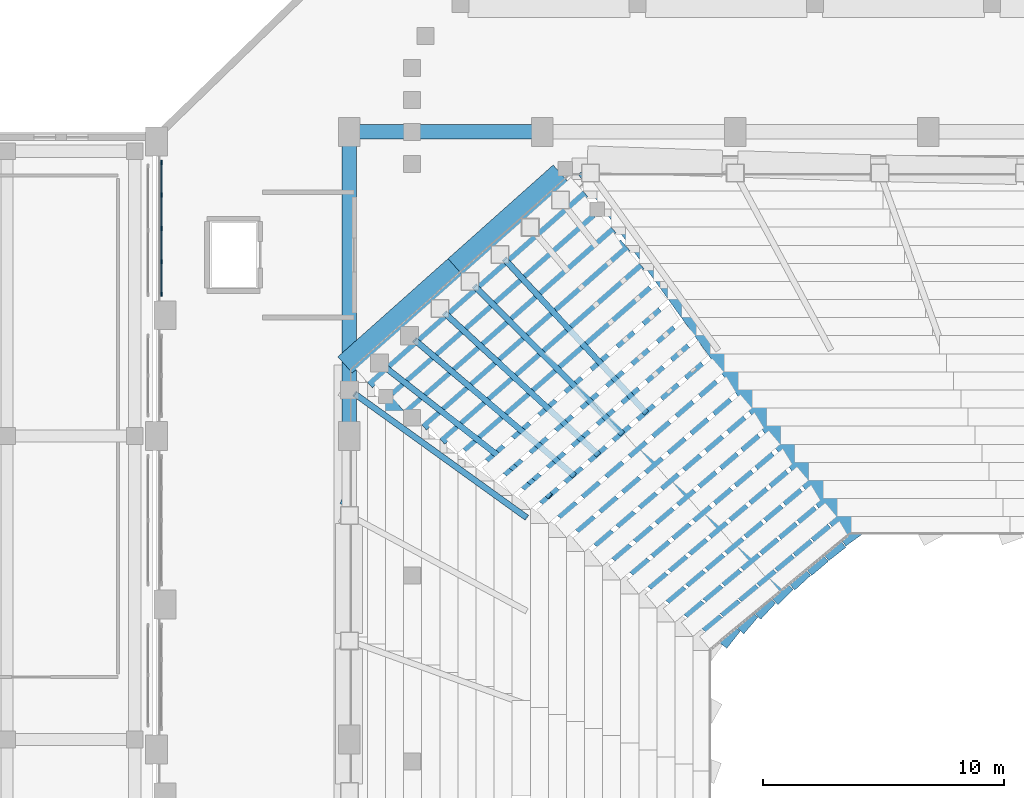
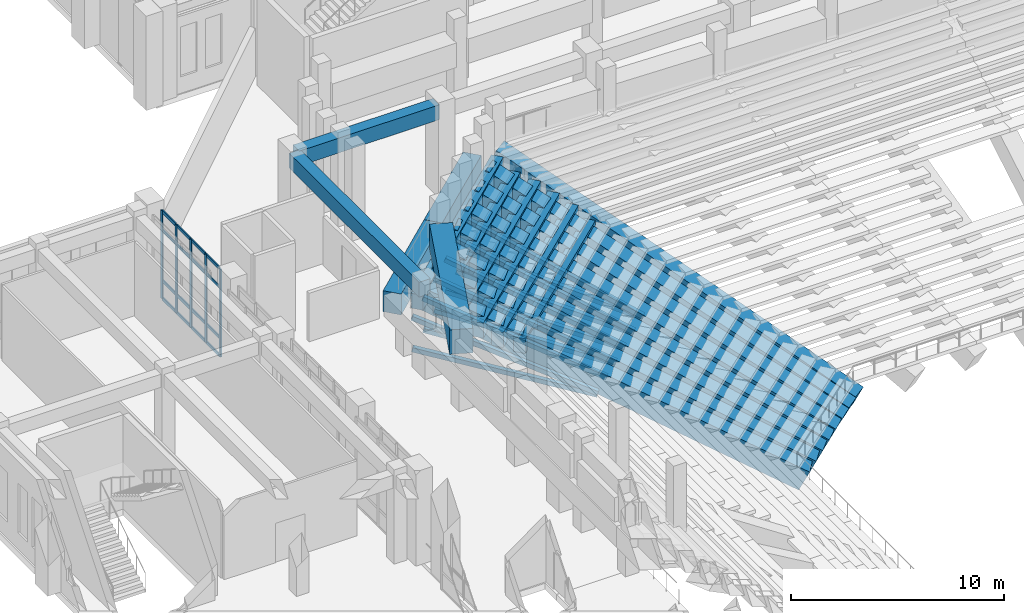
# One storey, part 48 of 159: 33 members, 19 beams, 1 element without a shape of its own.
"""IFC4 building model written with IfcOpenShell, lengths in metres."""

from ifc_helpers import new_model, si_unit, derived_unit, direction, frame, origin, origin_2d, place, context, subcontext, project, spatial, rectangle, hollow_rectangle, extrude, material, layer, layer_set, material_profile, profile_set, type_object, element, aggregate, save


model = new_model("IFC4")

# Units and contexts
model_context = context("Model", 3, precision=1e-05, world=origin(), true_north=direction((0.0, 1.0)))
body_context = subcontext(model_context, "Body", "Model", "MODEL_VIEW")
ifc_project = project(units=[si_unit("LENGTHUNIT", "METRE"), si_unit("AREAUNIT", "SQUARE_METRE"), si_unit("VOLUMEUNIT", "CUBIC_METRE"), si_unit("PLANEANGLEUNIT", "RADIAN"), si_unit("MASSUNIT", "GRAM", prefix="KILO"), derived_unit("THERMALTRANSMITTANCEUNIT", [(si_unit("MASSUNIT", "GRAM", prefix="KILO"), 1), (si_unit("TIMEUNIT", "SECOND"), -3), (si_unit("THERMODYNAMICTEMPERATUREUNIT", "KELVIN"), -1)])], contexts=[model_context])

# Site, building, storey
site_placement = place(None, origin())
site = spatial("IfcSite", under=ifc_project, at=site_placement, CompositionType="ELEMENT")
building_placement = place(site_placement, origin())
building = spatial("IfcBuilding", under=site, at=building_placement, Name="Valcora Ridge Arena", CompositionType="ELEMENT")
storey_placement = place(building_placement, frame((0.0, 0.0, 6.0)))
storey = spatial("IfcBuildingStorey", under=building, at=storey_placement, Name="L01", CompositionType="ELEMENT", Elevation=6.0)

# Beams
ifc_material_1 = material(Name="Concrete C40/50", Category="concrete")
ifc_material_profile_1 = material_profile(ifc_material_1, rectangle(XDim=0.60009765625, YDim=0.85009765625, at=origin_2d()), Name="RC 600x850")
ifc_profile_set_1 = profile_set([ifc_material_profile_1], Name="Concrete C40/50")
beam_type_1 = type_object("IfcBeamType", Name="TY-BEAM-B-RC600-X", PredefinedType="BEAM", material=ifc_profile_set_1)
beam_1_placement = place(storey_placement, frame((36.3994140625, 89.21533203125, 0.135009765625), z_axis=(-0.751952198768, -0.659217635359, 0.0), x_axis=(0.659217635359, -0.751952198768, 0.0)))
element("IfcBeam", 1, at=beam_1_placement, inside=storey, type_object=beam_type_1, Name="B-RC600-X BEM-R2-B-RC600-X-0165", PredefinedType="BEAM", context=body_context, shape_type="SweptSolid", body=[
    extrude(rectangle(XDim=0.60009765625, YDim=0.85009765625, at=origin_2d()), origin(), (0.0, 0.0, 1.0), 10.225341796875),
])
beam_2_placement = place(storey_placement, frame((36.02490234375, 90.14990234375, 0.574951171875), z_axis=(-0.751029040329, -0.660269172825, 0.0), x_axis=(0.660269172825, -0.751029040329, 0.0)))
element("IfcBeam", 2, at=beam_2_placement, inside=storey, type_object=beam_type_1, Name="B-RC600-X BEM-R2-B-RC600-X-0177", PredefinedType="BEAM", context=body_context, shape_type="SweptSolid", body=[
    extrude(rectangle(XDim=0.60009765625, YDim=0.85009765625, at=origin_2d()), origin(), (0.0, 0.0, 1.0), 11.01806640625),
])
beam_3_placement = place(storey_placement, frame((35.43994140625, 90.89990234375, 1.014892578125), z_axis=(-0.750149332152, -0.661268462481, 0.0), x_axis=(0.661268462481, -0.750149332152, 0.0)))
element("IfcBeam", 3, at=beam_3_placement, inside=storey, type_object=beam_type_1, Name="B-RC600-X BEM-R2-B-RC600-X-0189", PredefinedType="BEAM", context=body_context, shape_type="SweptSolid", body=[
    extrude(rectangle(XDim=0.60009765625, YDim=0.85009765625, at=origin_2d()), origin(), (0.0, 0.0, 1.0), 11.2509765625),
])
beam_4_placement = place(storey_placement, frame((34.85498046875, 91.64990234375, 1.455078125), z_axis=(-0.749304061894, -0.662226111558, 0.0), x_axis=(0.662226111558, -0.749304061894, 0.0)))
element("IfcBeam", 4, at=beam_4_placement, inside=storey, type_object=beam_type_1, Name="B-RC600-X BEM-R2-B-RC600-X-0201", PredefinedType="BEAM", context=body_context, shape_type="SweptSolid", body=[
    extrude(rectangle(XDim=0.60009765625, YDim=0.85009765625, at=origin_2d()), origin(), (0.0, 0.0, 1.0), 11.48388671875),
])
beam_5_placement = place(storey_placement, frame((34.060302734375, 92.21435546875, 1.89501953125), z_axis=(-0.748479246589, -0.663158214475, 0.0), x_axis=(0.663158214475, -0.748479246589, 0.0)))
element("IfcBeam", 5, at=beam_5_placement, inside=storey, type_object=beam_type_1, Name="B-RC600-X BEM-R2-B-RC600-X-0213", PredefinedType="BEAM", context=body_context, shape_type="SweptSolid", body=[
    extrude(rectangle(XDim=0.60009765625, YDim=0.85009765625, at=origin_2d()), origin(), (0.0, 0.0, 1.0), 11.15673828125),
])
beam_6_placement = place(storey_placement, frame((33.68505859375, 93.14990234375, 2.3349609375), z_axis=(-0.747719218895, -0.664015037251, 0.0), x_axis=(0.664015037251, -0.747719218895, 0.0)))
element("IfcBeam", 6, at=beam_6_placement, inside=storey, type_object=beam_type_1, Name="B-RC600-X BEM-R2-B-RC600-X-0225", PredefinedType="BEAM", context=body_context, shape_type="SweptSolid", body=[
    extrude(rectangle(XDim=0.60009765625, YDim=0.85009765625, at=origin_2d()), origin(), (0.0, 0.0, 1.0), 11.94970703125),
])
ifc_material_profile_2 = material_profile(ifc_material_1, rectangle(XDim=0.60009765625, YDim=0.85009765625, at=origin_2d()), Name="RC 600x850")
ifc_profile_set_2 = profile_set([ifc_material_profile_2], Name="Concrete C40/50")
beam_type_2 = type_object("IfcBeamType", Name="TY-BEAM-B-RC600-Y", PredefinedType="BEAM", material=ifc_profile_set_2)
beam_7_placement = place(storey_placement, frame((24.0, 83.199951171875, 4.614990234375), z_axis=(0.0, 1.0, 0.0), x_axis=(-1.0, 0.0, 0.0)))
element("IfcBeam", 7, at=beam_7_placement, inside=storey, type_object=beam_type_2, Name="B-RC600-Y BEM-B-RC600-Y-0015", PredefinedType="BEAM", context=body_context, shape_type="SweptSolid", body=[
    extrude(rectangle(XDim=0.60009765625, YDim=0.85009765625, at=origin_2d()), origin(), (0.0, 0.0, 1.0), 12.199951171875),
])
ifc_material_profile_3 = material_profile(ifc_material_1, rectangle(XDim=0.60009765625, YDim=0.85009765625, at=origin_2d()), Name="RC 600x850")
ifc_profile_set_3 = profile_set([ifc_material_profile_3], Name="Concrete C40/50")
beam_type_3 = type_object("IfcBeamType", Name="TY-BEAM-EB-RC600", PredefinedType="BEAM", material=ifc_profile_set_3)
beam_8_placement = place(storey_placement, frame((24.199951171875, 95.60009765625, 4.614990234375), z_axis=(1.0, 0.0, 0.0), x_axis=(0.0, 1.0, 0.0)))
element("IfcBeam", 8, at=beam_8_placement, inside=storey, type_object=beam_type_3, Name="EB-RC600 BEM-EB-RC600-0024", PredefinedType="BEAM", context=body_context, shape_type="SweptSolid", body=[
    extrude(rectangle(XDim=0.60009765625, YDim=0.85009765625, at=origin_2d()), origin(), (0.0, 0.0, 1.0), 7.60009765625),
])
ifc_material_profile_4 = material_profile(ifc_material_1, rectangle(XDim=0.89990234375, YDim=1.199951171875, at=origin_2d()), Name="RC 900x1200")
ifc_profile_set_4 = profile_set([ifc_material_profile_4], Name="Concrete C40/50")
beam_type_4 = type_object("IfcBeamType", Name="TY-BEAM-RKR-LOW-1200", PredefinedType="USERDEFINED", material=ifc_profile_set_4)
beam_9_placement = place(storey_placement, frame((44.800048828125, 78.89990234375, -6.489990234375), z_axis=(-0.527565344936, 0.732726332999, 0.429868500536), x_axis=(-0.811533088795, -0.584306465642, 0.0)))
element("IfcBeam", 9, at=beam_9_placement, inside=storey, type_object=beam_type_4, Name="RKR-LOW-1200 BEM-RK-RKR-LOW-1200-0039", ObjectType="RAKER", PredefinedType="USERDEFINED", context=body_context, shape_type="SweptSolid", body=[
    extrude(rectangle(XDim=0.89990234375, YDim=1.199951171875, at=origin_2d()), origin(), (0.0, 0.0, 1.0), 20.471435546875),
])
beam_10_placement = place(storey_placement, frame((44.074951171875, 78.300048828125, -6.489990234375), z_axis=(-0.555774861545, 0.710357120878, 0.431864636307), x_axis=(-0.787589368997, -0.61620044291, 0.0)))
element("IfcBeam", 10, at=beam_10_placement, inside=storey, type_object=beam_type_4, Name="RKR-LOW-1200 BEM-RK-RKR-LOW-1200-0040", ObjectType="RAKER", PredefinedType="USERDEFINED", context=body_context, shape_type="SweptSolid", body=[
    extrude(rectangle(XDim=0.89990234375, YDim=1.199951171875, at=origin_2d()), origin(), (0.0, 0.0, 1.0), 20.376953125),
])
beam_11_placement = place(storey_placement, frame((43.35009765625, 77.699951171875, -6.489990234375), z_axis=(-0.583481948544, 0.686875748029, 0.433301883787), x_axis=(-0.762137730499, -0.647414920859, 0.0)))
element("IfcBeam", 11, at=beam_11_placement, inside=storey, type_object=beam_type_4, Name="RKR-LOW-1200 BEM-RK-RKR-LOW-1200-0041", ObjectType="RAKER", PredefinedType="USERDEFINED", context=body_context, shape_type="SweptSolid", body=[
    extrude(rectangle(XDim=0.89990234375, YDim=1.199951171875, at=origin_2d()), origin(), (0.0, 0.0, 1.0), 20.309326171875),
])
beam_12_placement = place(storey_placement, frame((42.625, 77.10009765625, -6.489990234375), z_axis=(-0.610557205887, 0.6623524234, 0.434176422155), x_axis=(-0.735270801854, -0.677773448832, 0.0)))
element("IfcBeam", 12, at=beam_12_placement, inside=storey, type_object=beam_type_4, Name="RKR-LOW-1200 BEM-RK-RKR-LOW-1200-0042", ObjectType="RAKER", PredefinedType="USERDEFINED", context=body_context, shape_type="SweptSolid", body=[
    extrude(rectangle(XDim=0.89990234375, YDim=1.199951171875, at=origin_2d()), origin(), (0.0, 0.0, 1.0), 20.268310546875),
])
beam_13_placement = place(storey_placement, frame((41.89990234375, 76.5, -6.489990234375), z_axis=(-0.636882105982, 0.636882105982, 0.434467911543), x_axis=(-0.707106781187, -0.707106781187, 0.0)))
element("IfcBeam", 13, at=beam_13_placement, inside=storey, type_object=beam_type_4, Name="RKR-LOW-1200 BEM-RK-RKR-LOW-1200-0043", ObjectType="RAKER", PredefinedType="USERDEFINED", context=body_context, shape_type="SweptSolid", body=[
    extrude(rectangle(XDim=0.89990234375, YDim=1.199951171875, at=origin_2d()), origin(), (0.0, 0.0, 1.0), 20.2548828125),
])
beam_14_placement = place(storey_placement, frame((41.175048828125, 75.89990234375, -6.489990234375), z_axis=(-0.662359184273, 0.610552334693, 0.434172958175), x_axis=(-0.677766785233, -0.73527694431, 0.0)))
element("IfcBeam", 14, at=beam_14_placement, inside=storey, type_object=beam_type_4, Name="RKR-LOW-1200 BEM-RK-RKR-LOW-1200-0044", ObjectType="RAKER", PredefinedType="USERDEFINED", context=body_context, shape_type="SweptSolid", body=[
    extrude(rectangle(XDim=0.89990234375, YDim=1.199951171875, at=origin_2d()), origin(), (0.0, 0.0, 1.0), 20.2685546875),
])
beam_15_placement = place(storey_placement, frame((40.449951171875, 75.300048828125, -6.489990234375), z_axis=(-0.686880565857, 0.583474019933, 0.433304923018), x_axis=(-0.647407173148, -0.762144311896, 0.0)))
element("IfcBeam", 15, at=beam_15_placement, inside=storey, type_object=beam_type_4, Name="RKR-LOW-1200 BEM-RK-RKR-LOW-1200-0045", ObjectType="RAKER", PredefinedType="USERDEFINED", context=body_context, shape_type="SweptSolid", body=[
    extrude(rectangle(XDim=0.89990234375, YDim=1.199951171875, at=origin_2d()), origin(), (0.0, 0.0, 1.0), 20.30908203125),
])
beam_16_placement = place(storey_placement, frame((39.72509765625, 74.699951171875, -6.489990234375), z_axis=(-0.710363056233, 0.555770131379, 0.431860960734), x_axis=(-0.616193996107, -0.787594412856, 0.0)))
element("IfcBeam", 16, at=beam_16_placement, inside=storey, type_object=beam_type_4, Name="RKR-LOW-1200 BEM-RK-RKR-LOW-1200-0046", ObjectType="RAKER", PredefinedType="USERDEFINED", context=body_context, shape_type="SweptSolid", body=[
    extrude(rectangle(XDim=0.89990234375, YDim=1.199951171875, at=origin_2d()), origin(), (0.0, 0.0, 1.0), 20.376953125),
])
ifc_material_2 = material(Name="Concrete C45/55", Category="concrete")
ifc_material_profile_5 = material_profile(ifc_material_2, rectangle(XDim=0.89990234375, YDim=1.199951171875, at=origin_2d()), Name="RC 900x1200")
ifc_profile_set_5 = profile_set([ifc_material_profile_5], Name="Concrete C45/55")
beam_type_5 = type_object("IfcBeamType", Name="TY-BEAM-RKR-RING-850", PredefinedType="USERDEFINED", material=ifc_profile_set_5)
beam_17_placement = place(storey_placement, frame((32.75048828125, 93.893798828125, 2.159912109375), z_axis=(-0.746774614076, -0.665077195348, 0.0), x_axis=(0.665077195348, -0.746774614076, 0.0)))
element("IfcBeam", 17, at=beam_17_placement, inside=storey, type_object=beam_type_5, Name="RKR-RING-850 BEM-R2-RKR-RING-850-0011", ObjectType="RAKER", PredefinedType="USERDEFINED", context=body_context, shape_type="SweptSolid", body=[
    extrude(rectangle(XDim=0.89990234375, YDim=1.199951171875, at=origin_2d()), origin(), (0.0, 0.0, 1.0), 5.83935546875),
])
beam_18_placement = place(storey_placement, frame((28.389892578125, 90.01025390625, 2.159912109375), z_axis=(-0.746779446609, -0.665071769151, 0.0), x_axis=(0.665071769151, -0.746779446609, 0.0)))
element("IfcBeam", 18, at=beam_18_placement, inside=storey, type_object=beam_type_5, Name="RKR-RING-850 BEM-R2-RKR-RING-850-0012", ObjectType="RAKER", PredefinedType="USERDEFINED", context=body_context, shape_type="SweptSolid", body=[
    extrude(rectangle(XDim=0.89990234375, YDim=1.199951171875, at=origin_2d()), origin(), (0.0, 0.0, 1.0), 6.119384765625),
])
ifc_material_profile_6 = material_profile(ifc_material_2, rectangle(XDim=1.10009765625, YDim=1.39990234375, at=origin_2d()), Name="RC 1100x1400")
ifc_profile_set_6 = profile_set([ifc_material_profile_6], Name="Concrete C45/55")
beam_type_6 = type_object("IfcBeamType", Name="TY-BEAM-RKR-URING-1100", PredefinedType="USERDEFINED", material=ifc_profile_set_6)
beam_19_placement = place(storey_placement, frame((27.62841796875, 87.943115234375, 3.47509765625), z_axis=(-0.403356102134, -0.915043089079, 0.0), x_axis=(0.915043089079, -0.403356102134, 0.0)))
element("IfcBeam", 19, at=beam_19_placement, inside=storey, type_object=beam_type_6, Name="RKR-URING-1100 BEM-RU2-RKR-URING-1100-0030", ObjectType="RAKER", PredefinedType="USERDEFINED", context=body_context, shape_type="SweptSolid", body=[
    extrude(rectangle(XDim=1.10009765625, YDim=1.39990234375, at=origin_2d()), origin(), (0.0, 0.0, 1.0), 8.717041015625),
])

# Curtain wall, members
ifc_material_3 = material(Name="Anodised dark bronze architectural aluminium 6063-T6", Category="aluminium")
ifc_layer = layer(ifc_material_3, 0.179931640625, Name="Anodised dark bronze architectural aluminium 6063-T6")
ifc_layer_set = layer_set([ifc_layer], Name="Anodised dark bronze architectural aluminium 6063-T6")
curtain_wall_type = type_object("IfcCurtainWallType", Name="TY-CURTAINWALL-CW-V1-GOTH-055X50", PredefinedType="NOTDEFINED", material=ifc_layer_set)
curtain_wall_placement = place(storey_placement, origin())
curtain_wall = element("IfcCurtainWall", 20, at=curtain_wall_placement, inside=storey, type_object=curtain_wall_type, Name="CW-V1-GOTH-055X50 CW-0097", PredefinedType="NOTDEFINED")
ifc_material_profile_7 = material_profile(ifc_material_3, rectangle(XDim=0.06005859375, YDim=0.179931640625, at=origin_2d()), Name="ALU MULLION 60x180")
ifc_profile_set_7 = profile_set([ifc_material_profile_7], Name="Anodised dark bronze architectural aluminium 6063-T6")
member_type_1 = type_object("IfcMemberType", Name="TY-MEM-CWM-60x180", PredefinedType="MULLION", material=ifc_profile_set_7)
member_1_placement = place(storey_placement, frame((16.199951171875, 88.8701171875, 0.0), z_axis=(0.0, 0.0, 1.0), x_axis=(-1.0, 0.0, 0.0)))
member_1 = element("IfcMember", 21, at=member_1_placement, type_object=member_type_1, Name="CW-0097/CWM-60x180/M00", PredefinedType="MULLION", context=body_context, shape_type="SweptSolid", body=[
    extrude(rectangle(XDim=0.06005859375, YDim=0.179931640625, at=origin_2d()), origin(), (0.0, 0.0, 1.0), 5.0400390625),
])
member_2_placement = place(storey_placement, frame((16.199951171875, 90.219970703125, 0.0), z_axis=(0.0, 0.0, 1.0), x_axis=(-1.0, 0.0, 0.0)))
member_2 = element("IfcMember", 22, at=member_2_placement, type_object=member_type_1, Name="CW-0097/CWM-60x180/M01", PredefinedType="MULLION", context=body_context, shape_type="SweptSolid", body=[
    extrude(rectangle(XDim=0.06005859375, YDim=0.179931640625, at=origin_2d()), origin(), (0.0, 0.0, 1.0), 5.0400390625),
])
member_3_placement = place(storey_placement, frame((16.199951171875, 91.60009765625, 0.0), z_axis=(0.0, 0.0, 1.0), x_axis=(-1.0, 0.0, 0.0)))
member_3 = element("IfcMember", 23, at=member_3_placement, type_object=member_type_1, Name="CW-0097/CWM-60x180/M02", PredefinedType="MULLION", context=body_context, shape_type="SweptSolid", body=[
    extrude(rectangle(XDim=0.06005859375, YDim=0.179931640625, at=origin_2d()), origin(), (0.0, 0.0, 1.0), 5.0400390625),
])
member_4_placement = place(storey_placement, frame((16.199951171875, 92.97998046875, 0.0), z_axis=(0.0, 0.0, 1.0), x_axis=(-1.0, 0.0, 0.0)))
member_4 = element("IfcMember", 24, at=member_4_placement, type_object=member_type_1, Name="CW-0097/CWM-60x180/M03", PredefinedType="MULLION", context=body_context, shape_type="SweptSolid", body=[
    extrude(rectangle(XDim=0.06005859375, YDim=0.179931640625, at=origin_2d()), origin(), (0.0, 0.0, 1.0), 5.0400390625),
])
member_5_placement = place(storey_placement, frame((16.199951171875, 94.330078125, 0.0), z_axis=(0.0, 0.0, 1.0), x_axis=(-1.0, 0.0, 0.0)))
member_5 = element("IfcMember", 25, at=member_5_placement, type_object=member_type_1, Name="CW-0097/CWM-60x180/M04", PredefinedType="MULLION", context=body_context, shape_type="SweptSolid", body=[
    extrude(rectangle(XDim=0.06005859375, YDim=0.179931640625, at=origin_2d()), origin(), (0.0, 0.0, 1.0), 5.0400390625),
])
ifc_material_profile_8 = material_profile(ifc_material_3, rectangle(XDim=0.06005859375, YDim=0.179931640625, at=origin_2d()), Name="ALU TRANSOM 60x180")
ifc_profile_set_8 = profile_set([ifc_material_profile_8], Name="Anodised dark bronze architectural aluminium 6063-T6")
member_type_2 = type_object("IfcMemberType", Name="TY-MEM-CWT-60x180", PredefinedType="USERDEFINED", material=ifc_profile_set_8)
member_6_placement = place(storey_placement, frame((16.199951171875, 88.89990234375, 0.030029296875), z_axis=(0.0, 1.0, 0.0), x_axis=(-1.0, 0.0, 0.0)))
member_6 = element("IfcMember", 26, at=member_6_placement, type_object=member_type_2, Name="CW-0097/CWT-60x180/T00-00", ObjectType="TRANSOM", PredefinedType="USERDEFINED", context=body_context, shape_type="SweptSolid", body=[
    extrude(rectangle(XDim=0.06005859375, YDim=0.179931640625, at=origin_2d()), origin(), (0.0, 0.0, 1.0), 1.2900390625),
])
member_7_placement = place(storey_placement, frame((16.199951171875, 88.89990234375, 1.050048828125), z_axis=(0.0, 1.0, 0.0), x_axis=(-1.0, 0.0, 0.0)))
member_7 = element("IfcMember", 27, at=member_7_placement, type_object=member_type_2, Name="CW-0097/CWT-60x180/T00-01", ObjectType="TRANSOM", PredefinedType="USERDEFINED", context=body_context, shape_type="SweptSolid", body=[
    extrude(rectangle(XDim=0.06005859375, YDim=0.179931640625, at=origin_2d()), origin(), (0.0, 0.0, 1.0), 1.2900390625),
])
member_8_placement = place(storey_placement, frame((16.199951171875, 88.89990234375, 3.93994140625), z_axis=(0.0, 1.0, 0.0), x_axis=(-1.0, 0.0, 0.0)))
member_8 = element("IfcMember", 28, at=member_8_placement, type_object=member_type_2, Name="CW-0097/CWT-60x180/T00-02", ObjectType="TRANSOM", PredefinedType="USERDEFINED", context=body_context, shape_type="SweptSolid", body=[
    extrude(rectangle(XDim=0.06005859375, YDim=0.179931640625, at=origin_2d()), origin(), (0.0, 0.0, 1.0), 1.2900390625),
])
member_9_placement = place(storey_placement, frame((16.199951171875, 88.89990234375, 5.010009765625), z_axis=(0.0, 1.0, 0.0), x_axis=(-1.0, 0.0, 0.0)))
member_9 = element("IfcMember", 29, at=member_9_placement, type_object=member_type_2, Name="CW-0097/CWT-60x180/T00-03", ObjectType="TRANSOM", PredefinedType="USERDEFINED", context=body_context, shape_type="SweptSolid", body=[
    extrude(rectangle(XDim=0.06005859375, YDim=0.179931640625, at=origin_2d()), origin(), (0.0, 0.0, 1.0), 1.2900390625),
])
member_10_placement = place(storey_placement, frame((16.199951171875, 90.25, 0.030029296875), z_axis=(0.0, 1.0, 0.0), x_axis=(-1.0, 0.0, 0.0)))
member_10 = element("IfcMember", 30, at=member_10_placement, type_object=member_type_2, Name="CW-0097/CWT-60x180/T01-00", ObjectType="TRANSOM", PredefinedType="USERDEFINED", context=body_context, shape_type="SweptSolid", body=[
    extrude(rectangle(XDim=0.06005859375, YDim=0.179931640625, at=origin_2d()), origin(), (0.0, 0.0, 1.0), 1.320068359375),
])
member_11_placement = place(storey_placement, frame((16.199951171875, 90.25, 1.050048828125), z_axis=(0.0, 1.0, 0.0), x_axis=(-1.0, 0.0, 0.0)))
member_11 = element("IfcMember", 31, at=member_11_placement, type_object=member_type_2, Name="CW-0097/CWT-60x180/T01-01", ObjectType="TRANSOM", PredefinedType="USERDEFINED", context=body_context, shape_type="SweptSolid", body=[
    extrude(rectangle(XDim=0.06005859375, YDim=0.179931640625, at=origin_2d()), origin(), (0.0, 0.0, 1.0), 1.320068359375),
])
member_12_placement = place(storey_placement, frame((16.199951171875, 90.25, 3.93994140625), z_axis=(0.0, 1.0, 0.0), x_axis=(-1.0, 0.0, 0.0)))
member_12 = element("IfcMember", 32, at=member_12_placement, type_object=member_type_2, Name="CW-0097/CWT-60x180/T01-02", ObjectType="TRANSOM", PredefinedType="USERDEFINED", context=body_context, shape_type="SweptSolid", body=[
    extrude(rectangle(XDim=0.06005859375, YDim=0.179931640625, at=origin_2d()), origin(), (0.0, 0.0, 1.0), 1.320068359375),
])
member_13_placement = place(storey_placement, frame((16.199951171875, 90.25, 5.010009765625), z_axis=(0.0, 1.0, 0.0), x_axis=(-1.0, 0.0, 0.0)))
member_13 = element("IfcMember", 33, at=member_13_placement, type_object=member_type_2, Name="CW-0097/CWT-60x180/T01-03", ObjectType="TRANSOM", PredefinedType="USERDEFINED", context=body_context, shape_type="SweptSolid", body=[
    extrude(rectangle(XDim=0.06005859375, YDim=0.179931640625, at=origin_2d()), origin(), (0.0, 0.0, 1.0), 1.320068359375),
])
member_14_placement = place(storey_placement, frame((16.199951171875, 91.6298828125, 0.030029296875), z_axis=(0.0, 1.0, 0.0), x_axis=(-1.0, 0.0, 0.0)))
member_14 = element("IfcMember", 34, at=member_14_placement, type_object=member_type_2, Name="CW-0097/CWT-60x180/T02-00", ObjectType="TRANSOM", PredefinedType="USERDEFINED", context=body_context, shape_type="SweptSolid", body=[
    extrude(rectangle(XDim=0.06005859375, YDim=0.179931640625, at=origin_2d()), origin(), (0.0, 0.0, 1.0), 1.320068359375),
])
member_15_placement = place(storey_placement, frame((16.199951171875, 91.6298828125, 1.050048828125), z_axis=(0.0, 1.0, 0.0), x_axis=(-1.0, 0.0, 0.0)))
member_15 = element("IfcMember", 35, at=member_15_placement, type_object=member_type_2, Name="CW-0097/CWT-60x180/T02-01", ObjectType="TRANSOM", PredefinedType="USERDEFINED", context=body_context, shape_type="SweptSolid", body=[
    extrude(rectangle(XDim=0.06005859375, YDim=0.179931640625, at=origin_2d()), origin(), (0.0, 0.0, 1.0), 1.320068359375),
])
member_16_placement = place(storey_placement, frame((16.199951171875, 91.6298828125, 3.93994140625), z_axis=(0.0, 1.0, 0.0), x_axis=(-1.0, 0.0, 0.0)))
member_16 = element("IfcMember", 36, at=member_16_placement, type_object=member_type_2, Name="CW-0097/CWT-60x180/T02-02", ObjectType="TRANSOM", PredefinedType="USERDEFINED", context=body_context, shape_type="SweptSolid", body=[
    extrude(rectangle(XDim=0.06005859375, YDim=0.179931640625, at=origin_2d()), origin(), (0.0, 0.0, 1.0), 1.320068359375),
])
member_17_placement = place(storey_placement, frame((16.199951171875, 91.6298828125, 5.010009765625), z_axis=(0.0, 1.0, 0.0), x_axis=(-1.0, 0.0, 0.0)))
member_17 = element("IfcMember", 37, at=member_17_placement, type_object=member_type_2, Name="CW-0097/CWT-60x180/T02-03", ObjectType="TRANSOM", PredefinedType="USERDEFINED", context=body_context, shape_type="SweptSolid", body=[
    extrude(rectangle(XDim=0.06005859375, YDim=0.179931640625, at=origin_2d()), origin(), (0.0, 0.0, 1.0), 1.320068359375),
])
member_18_placement = place(storey_placement, frame((16.199951171875, 93.010009765625, 0.030029296875), z_axis=(0.0, 1.0, 0.0), x_axis=(-1.0, 0.0, 0.0)))
member_18 = element("IfcMember", 38, at=member_18_placement, type_object=member_type_2, Name="CW-0097/CWT-60x180/T03-00", ObjectType="TRANSOM", PredefinedType="USERDEFINED", context=body_context, shape_type="SweptSolid", body=[
    extrude(rectangle(XDim=0.06005859375, YDim=0.179931640625, at=origin_2d()), origin(), (0.0, 0.0, 1.0), 1.2900390625),
])
member_19_placement = place(storey_placement, frame((16.199951171875, 93.010009765625, 1.050048828125), z_axis=(0.0, 1.0, 0.0), x_axis=(-1.0, 0.0, 0.0)))
member_19 = element("IfcMember", 39, at=member_19_placement, type_object=member_type_2, Name="CW-0097/CWT-60x180/T03-01", ObjectType="TRANSOM", PredefinedType="USERDEFINED", context=body_context, shape_type="SweptSolid", body=[
    extrude(rectangle(XDim=0.06005859375, YDim=0.179931640625, at=origin_2d()), origin(), (0.0, 0.0, 1.0), 1.2900390625),
])
member_20_placement = place(storey_placement, frame((16.199951171875, 93.010009765625, 3.93994140625), z_axis=(0.0, 1.0, 0.0), x_axis=(-1.0, 0.0, 0.0)))
member_20 = element("IfcMember", 40, at=member_20_placement, type_object=member_type_2, Name="CW-0097/CWT-60x180/T03-02", ObjectType="TRANSOM", PredefinedType="USERDEFINED", context=body_context, shape_type="SweptSolid", body=[
    extrude(rectangle(XDim=0.06005859375, YDim=0.179931640625, at=origin_2d()), origin(), (0.0, 0.0, 1.0), 1.2900390625),
])
member_21_placement = place(storey_placement, frame((16.199951171875, 93.010009765625, 5.010009765625), z_axis=(0.0, 1.0, 0.0), x_axis=(-1.0, 0.0, 0.0)))
member_21 = element("IfcMember", 41, at=member_21_placement, type_object=member_type_2, Name="CW-0097/CWT-60x180/T03-03", ObjectType="TRANSOM", PredefinedType="USERDEFINED", context=body_context, shape_type="SweptSolid", body=[
    extrude(rectangle(XDim=0.06005859375, YDim=0.179931640625, at=origin_2d()), origin(), (0.0, 0.0, 1.0), 1.2900390625),
])
aggregate(curtain_wall, [member_1, member_2, member_3, member_4, member_5, member_6, member_7, member_8, member_9, member_10, member_11, member_12, member_13, member_14, member_15, member_16, member_17, member_18, member_19, member_20, member_21])

# Members
ifc_material_4 = material(Name="Steel ASTM A500 Grade C", Category="steel")
ifc_material_profile_9 = material_profile(ifc_material_4, hollow_rectangle(XDim=0.25, YDim=0.25, WallThickness=0.012451171875, at=origin_2d()), Name="HSS250X250X12")
ifc_profile_set_9 = profile_set([ifc_material_profile_9], Name="Steel ASTM A500 Grade C")
member_type_3 = type_object("IfcMemberType", Name="TY-MEMBER-RKRC-253", PredefinedType="CHORD", material=ifc_profile_set_9)
member_22_placement = place(storey_placement, frame((36.279052734375, 83.984619140625, -1.84619140625), z_axis=(-0.660534138678, 0.716549023025, 0.224169911547), x_axis=(-0.735261368938, -0.677783681825, 0.0)))
element("IfcMember", 42, at=member_22_placement, inside=storey, type_object=member_type_3, Name="RKRC-253 MBR-RK-RKRC-253-0042", PredefinedType="CHORD", context=body_context, shape_type="SweptSolid", body=[
    extrude(hollow_rectangle(XDim=0.25, YDim=0.25, WallThickness=0.012451171875, at=origin_2d()), origin(), (0.0, 0.0, 1.0), 8.84765625),
])
member_23_placement = place(storey_placement, frame((35.28466796875, 83.115478515625, -1.84619140625), z_axis=(-0.689094044005, 0.689066427219, 0.224358769377), x_axis=(-0.70709261142, -0.707120950669, 0.0)))
element("IfcMember", 43, at=member_23_placement, inside=storey, type_object=member_type_3, Name="RKRC-253 MBR-RK-RKRC-253-0043", PredefinedType="CHORD", context=body_context, shape_type="SweptSolid", body=[
    extrude(hollow_rectangle(XDim=0.25, YDim=0.25, WallThickness=0.012451171875, at=origin_2d()), origin(), (0.0, 0.0, 1.0), 8.84033203125),
])
member_24_placement = place(storey_placement, frame((34.29052734375, 82.24609375, -1.84619140625), z_axis=(-0.716562083272, 0.660518583922, 0.224173997401), x_axis=(-0.677768374502, -0.735275479344, 0.0)))
element("IfcMember", 44, at=member_24_placement, inside=storey, type_object=member_type_3, Name="RKRC-253 MBR-RK-RKRC-253-0044", PredefinedType="CHORD", context=body_context, shape_type="SweptSolid", body=[
    extrude(hollow_rectangle(XDim=0.25, YDim=0.25, WallThickness=0.012451171875, at=origin_2d()), origin(), (0.0, 0.0, 1.0), 8.84765625),
])
member_25_placement = place(storey_placement, frame((33.296630859375, 81.37646484375, -1.84619140625), z_axis=(-0.742829471348, 0.63102107054, 0.223644327072), x_axis=(-0.647419677561, -0.762133689786, 0.0)))
element("IfcMember", 45, at=member_25_placement, inside=storey, type_object=member_type_3, Name="RKRC-253 MBR-RK-RKRC-253-0045", PredefinedType="CHORD", context=body_context, shape_type="SweptSolid", body=[
    extrude(hollow_rectangle(XDim=0.25, YDim=0.25, WallThickness=0.012451171875, at=origin_2d()), origin(), (0.0, 0.0, 1.0), 8.86962890625),
])
member_26_placement = place(storey_placement, frame((32.30322265625, 80.506591796875, -1.846435546875), z_axis=(-0.76779483786, 0.600716058298, 0.222780843561), x_axis=(-0.616202108903, -0.787588065541, 0.0)))
element("IfcMember", 46, at=member_26_placement, inside=storey, type_object=member_type_3, Name="RKRC-253 MBR-RK-RKRC-253-0046", PredefinedType="CHORD", context=body_context, shape_type="SweptSolid", body=[
    extrude(hollow_rectangle(XDim=0.25, YDim=0.25, WallThickness=0.012451171875, at=origin_2d()), origin(), (0.0, 0.0, 1.0), 8.90625),
])
member_27_placement = place(storey_placement, frame((31.31005859375, 79.63671875, -1.8466796875), z_axis=(-0.791357266691, 0.569791405255, 0.221565861436), x_axis=(-0.584314298042, -0.811527449384, 0.0)))
element("IfcMember", 47, at=member_27_placement, inside=storey, type_object=member_type_3, Name="RKRC-253 MBR-RK-RKRC-253-0047", PredefinedType="CHORD", context=body_context, shape_type="SweptSolid", body=[
    extrude(hollow_rectangle(XDim=0.25, YDim=0.25, WallThickness=0.012451171875, at=origin_2d()), origin(), (0.0, 0.0, 1.0), 8.957275390625),
])
ifc_material_profile_10 = material_profile(ifc_material_4, hollow_rectangle(XDim=0.25, YDim=0.25, WallThickness=0.012451171875, at=origin_2d()), Name="HSS250X250X12")
ifc_profile_set_10 = profile_set([ifc_material_profile_10], Name="Steel ASTM A500 Grade C")
member_type_4 = type_object("IfcMemberType", Name="TY-MEMBER-RKRD-253", PredefinedType="BRACE", material=ifc_profile_set_10)
member_28_placement = place(storey_placement, frame((36.287841796875, 83.974853515625, -1.755615234375), z_axis=(-0.623275648441, 0.676166878101, 0.392843249935), x_axis=(-0.735279330039, -0.677764197061, 0.0)))
element("IfcMember", 48, at=member_28_placement, inside=storey, type_object=member_type_4, Name="RKRD-253 Raker Diagonal Brace", PredefinedType="BRACE", context=body_context, shape_type="SweptSolid", body=[
    extrude(hollow_rectangle(XDim=0.25, YDim=0.25, WallThickness=0.012451171875, at=origin_2d()), origin(), (0.0, 0.0, 1.0), 9.4072265625),
])
member_29_placement = place(storey_placement, frame((35.2939453125, 83.10595703125, -1.755615234375), z_axis=(-0.650176136427, 0.650176136427, 0.39311828149), x_axis=(-0.707106781187, -0.707106781187, 0.0)))
element("IfcMember", 49, at=member_29_placement, inside=storey, type_object=member_type_4, Name="RKRD-253 Raker Diagonal Brace", PredefinedType="BRACE", context=body_context, shape_type="SweptSolid", body=[
    extrude(hollow_rectangle(XDim=0.25, YDim=0.25, WallThickness=0.012451171875, at=origin_2d()), origin(), (0.0, 0.0, 1.0), 9.400634765625),
])
member_30_placement = place(storey_placement, frame((34.30029296875, 82.237060546875, -1.755615234375), z_axis=(-0.676170027522, 0.6232805815, 0.392830002172), x_axis=(-0.677765390485, -0.735278229965, 0.0)))
element("IfcMember", 50, at=member_30_placement, inside=storey, type_object=member_type_4, Name="RKRD-253 Raker Diagonal Brace", PredefinedType="BRACE", context=body_context, shape_type="SweptSolid", body=[
    extrude(hollow_rectangle(XDim=0.25, YDim=0.25, WallThickness=0.012451171875, at=origin_2d()), origin(), (0.0, 0.0, 1.0), 9.407470703125),
])
member_31_placement = place(storey_placement, frame((33.306640625, 81.367919921875, -1.755859375), z_axis=(-0.701135776144, 0.595587341236, 0.392025946042), x_axis=(-0.647409802287, -0.762142078554, 0.0)))
element("IfcMember", 51, at=member_31_placement, inside=storey, type_object=member_type_4, Name="RKRD-253 Raker Diagonal Brace", PredefinedType="BRACE", context=body_context, shape_type="SweptSolid", body=[
    extrude(hollow_rectangle(XDim=0.25, YDim=0.25, WallThickness=0.012451171875, at=origin_2d()), origin(), (0.0, 0.0, 1.0), 9.427978515625),
])
member_32_placement = place(storey_placement, frame((32.3134765625, 80.49853515625, -1.756103515625), z_axis=(-0.725001698451, 0.56723559098, 0.390661389913), x_axis=(-0.616202456492, -0.787587793591, 0.0)))
element("IfcMember", 52, at=member_32_placement, inside=storey, type_object=member_type_4, Name="RKRD-253 Raker Diagonal Brace", PredefinedType="BRACE", context=body_context, shape_type="SweptSolid", body=[
    extrude(hollow_rectangle(XDim=0.25, YDim=0.25, WallThickness=0.012451171875, at=origin_2d()), origin(), (0.0, 0.0, 1.0), 9.462890625),
])
member_33_placement = place(storey_placement, frame((31.320556640625, 79.629150390625, -1.756591796875), z_axis=(-0.747680268114, 0.538344168053, 0.388792712633), x_axis=(-0.584315001442, -0.811526942923, 0.0)))
element("IfcMember", 53, at=member_33_placement, inside=storey, type_object=member_type_4, Name="RKRD-253 Raker Diagonal Brace", PredefinedType="BRACE", context=body_context, shape_type="SweptSolid", body=[
    extrude(hollow_rectangle(XDim=0.25, YDim=0.25, WallThickness=0.012451171875, at=origin_2d()), origin(), (0.0, 0.0, 1.0), 9.5107421875),
])

save(model, "model.ifc")
